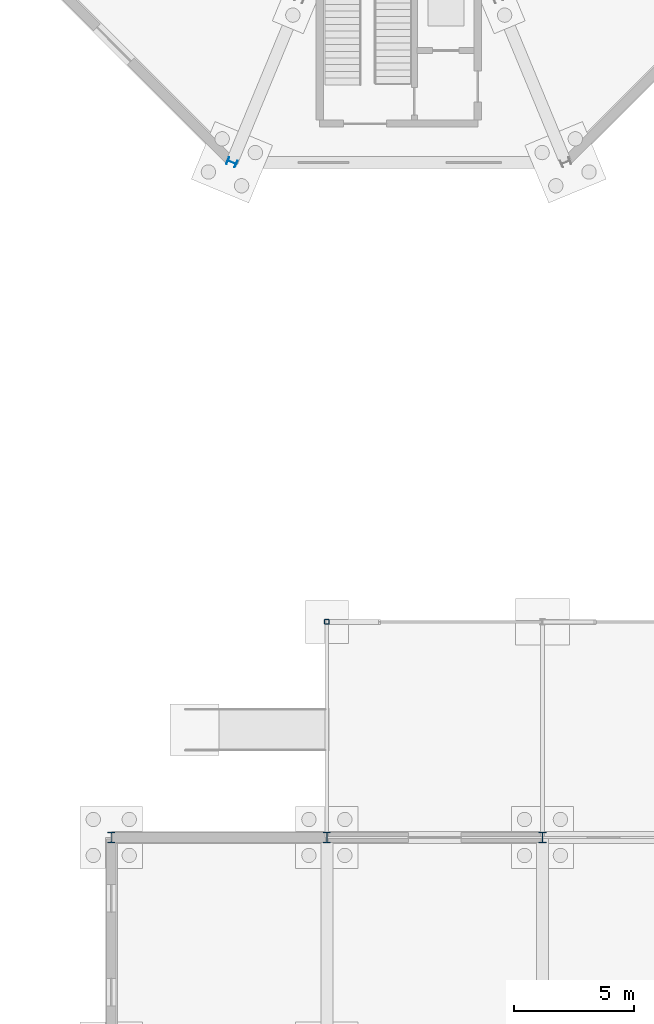
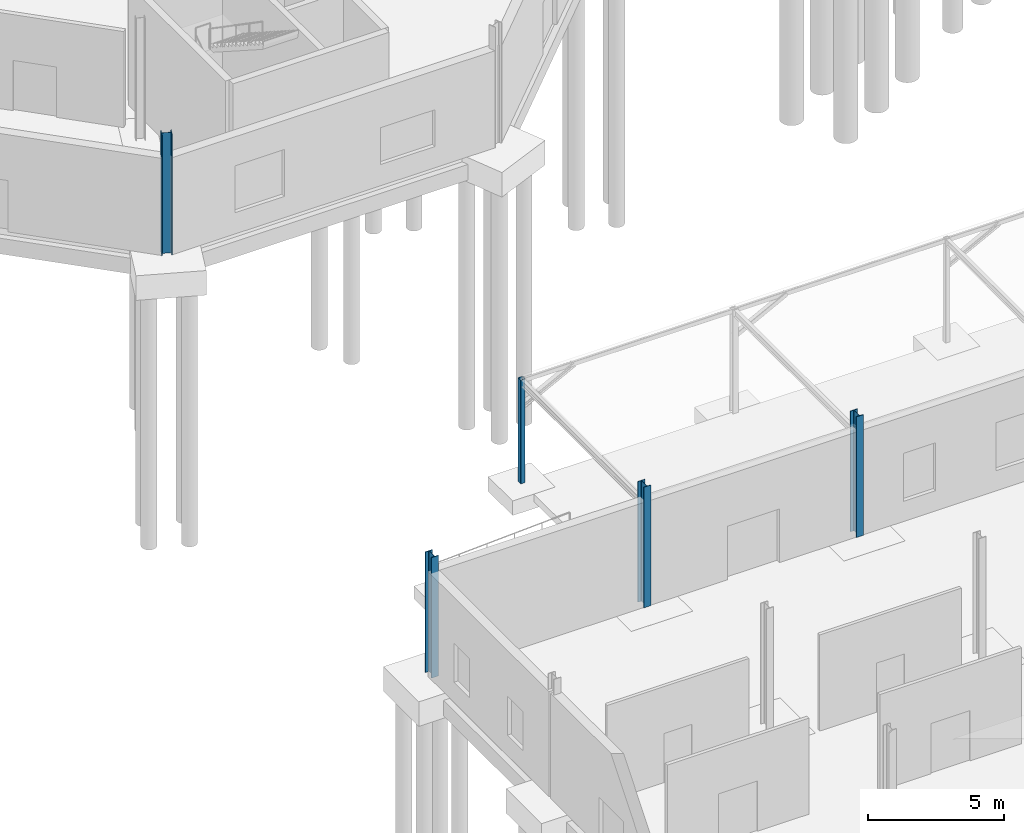
# One storey, part 15 of 118: 5 columns.
"""IFC4 building model written with IfcOpenShell, lengths in metres."""

from ifc_helpers import new_model, si_unit, direction, frame, origin, origin_2d, place, context, subcontext, project, spatial, hollow_rectangle, i_section, extrude, material, material_profile, profile_set, type_object, element, save


model = new_model("IFC4")

# Units and contexts
model_context = context("Model", 3, precision=1e-05, world=origin(), true_north=direction((0.0, 1.0)))
body_context = subcontext(model_context, "Body", "Model", "MODEL_VIEW")
ifc_project = project(units=[si_unit("LENGTHUNIT", "METRE"), si_unit("AREAUNIT", "SQUARE_METRE"), si_unit("VOLUMEUNIT", "CUBIC_METRE"), si_unit("PLANEANGLEUNIT", "RADIAN"), si_unit("MASSUNIT", "GRAM", prefix="KILO")], contexts=[model_context])

# Site, building, storey
site_placement = place(None, origin())
site = spatial("IfcSite", under=ifc_project, at=site_placement, CompositionType="ELEMENT")
building_placement = place(site_placement, origin())
building = spatial("IfcBuilding", under=site, at=building_placement, Name="Kildeholm Park Wholesale Market", CompositionType="ELEMENT")
storey_placement = place(building_placement, origin())
storey = spatial("IfcBuildingStorey", under=building, at=storey_placement, Name="L00", CompositionType="ELEMENT", Elevation=0.0)

# Columns
ifc_material = material(Name="Steel S355", Category="steel")
ifc_material_profile_1 = material_profile(ifc_material, i_section(OverallWidth=0.300048828125, OverallDepth=0.39990234375, WebThickness=0.013427734375, FlangeThickness=0.02392578125, FilletRadius=0.027099609375, at=origin_2d()), Name="HEB 400")
ifc_profile_set_1 = profile_set([ifc_material_profile_1], Name="Steel S355")
column_type_1 = type_object("IfcColumnType", Name="Column C-S05 HEB 400", PredefinedType="COLUMN", material=ifc_profile_set_1)
column_1_placement = place(storey_placement, frame((14.034912109375, 55.18505859375, 0.0), z_axis=(0.0, 0.0, 1.0), x_axis=(-0.382683432365, -0.923879532511, 0.0)))
element("IfcColumn", 1, at=column_1_placement, inside=storey, type_object=column_type_1, Name="Column V3-OT-05 L00 COL-0319", PredefinedType="COLUMN", context=body_context, shape_type="SweptSolid", body=[
    extrude(i_section(OverallWidth=0.300048828125, OverallDepth=0.39990234375, WebThickness=0.013427734375, FlangeThickness=0.02392578125, FilletRadius=0.027099609375, at=origin_2d()), origin(), (0.0, 0.0, 1.0), 5.39990234375),
])
ifc_material_profile_2 = material_profile(ifc_material, i_section(OverallWidth=0.300048828125, OverallDepth=0.449951171875, WebThickness=0.013916015625, FlangeThickness=0.02587890625, FilletRadius=0.027099609375, at=origin_2d()), Name="HEB 450")
ifc_profile_set_2 = profile_set([ifc_material_profile_2], Name="Steel S355")
column_type_2 = type_object("IfcColumnType", Name="Column C-S06 HEB 450", PredefinedType="COLUMN", material=ifc_profile_set_2)
for number, where, z_axis, x_axis, name in (
    (2, (9.0, 27.0, 0.0), (0.0, 0.0, 1.0), (1.0, 0.0, 0.0), "Column V5W-009-027 L00 COL-0649"),
    (3, (18.0, 27.0, 0.0), (0.0, 0.0, 1.0), (1.0, 0.0, 0.0), "Column V5W-018-027 L00 COL-0663"),
    (4, (27.0, 27.0, 0.0), (0.0, 0.0, 1.0), (1.0, 0.0, 0.0), "Column V5W-027-027 L00 COL-0677"),
):
    element("IfcColumn", number, at=place(storey_placement, frame(where, z_axis=z_axis, x_axis=x_axis)), inside=storey, type_object=column_type_2, Name=name, PredefinedType="COLUMN", context=body_context, shape_type="SweptSolid", body=[
        extrude(i_section(OverallWidth=0.300048828125, OverallDepth=0.449951171875, WebThickness=0.013916015625, FlangeThickness=0.02587890625, FilletRadius=0.027099609375, at=origin_2d()), origin(), (0.0, 0.0, 1.0), 5.39990234375),
    ])
ifc_material_profile_3 = material_profile(ifc_material, hollow_rectangle(XDim=0.199951171875, YDim=0.199951171875, WallThickness=0.012451171875, InnerFilletRadius=0.012451171875, OuterFilletRadius=0.02490234375, at=origin_2d()), Name="SHS 200x200x12.5")
ifc_profile_set_3 = profile_set([ifc_material_profile_3], Name="Steel S355")
column_type_3 = type_object("IfcColumnType", Name="Column C-S12 SHS 200x200x12.5", PredefinedType="COLUMN", material=ifc_profile_set_3)
column_2_placement = place(storey_placement, frame((18.0, 36.0, 0.0), z_axis=(0.0, 0.0, 1.0), x_axis=(1.0, 0.0, 0.0)))
element("IfcColumn", 5, at=column_2_placement, inside=storey, type_object=column_type_3, Name="Public passage column 018-036 COL-0880", PredefinedType="COLUMN", context=body_context, shape_type="SweptSolid", body=[
    extrude(hollow_rectangle(XDim=0.199951171875, YDim=0.199951171875, WallThickness=0.012451171875, InnerFilletRadius=0.012451171875, OuterFilletRadius=0.02490234375, at=origin_2d()), origin(), (0.0, 0.0, 1.0), 4.639892578125),
])

save(model, "model.ifc")
